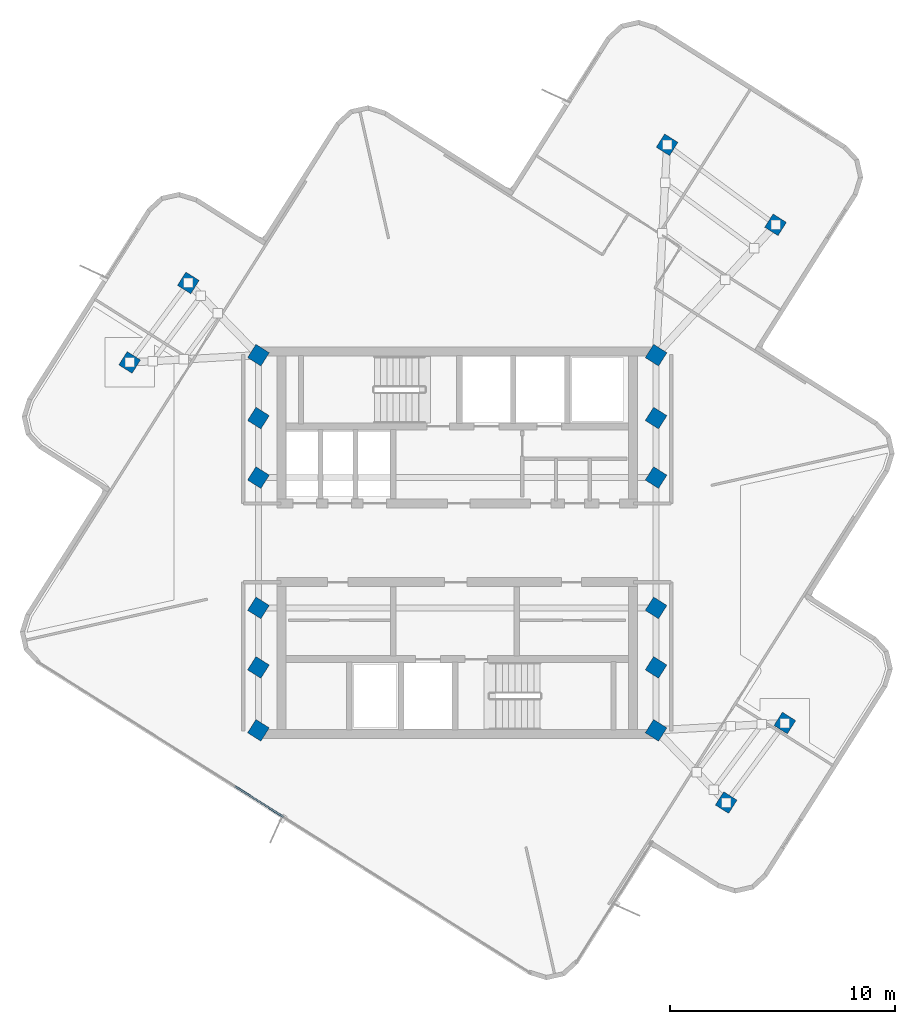
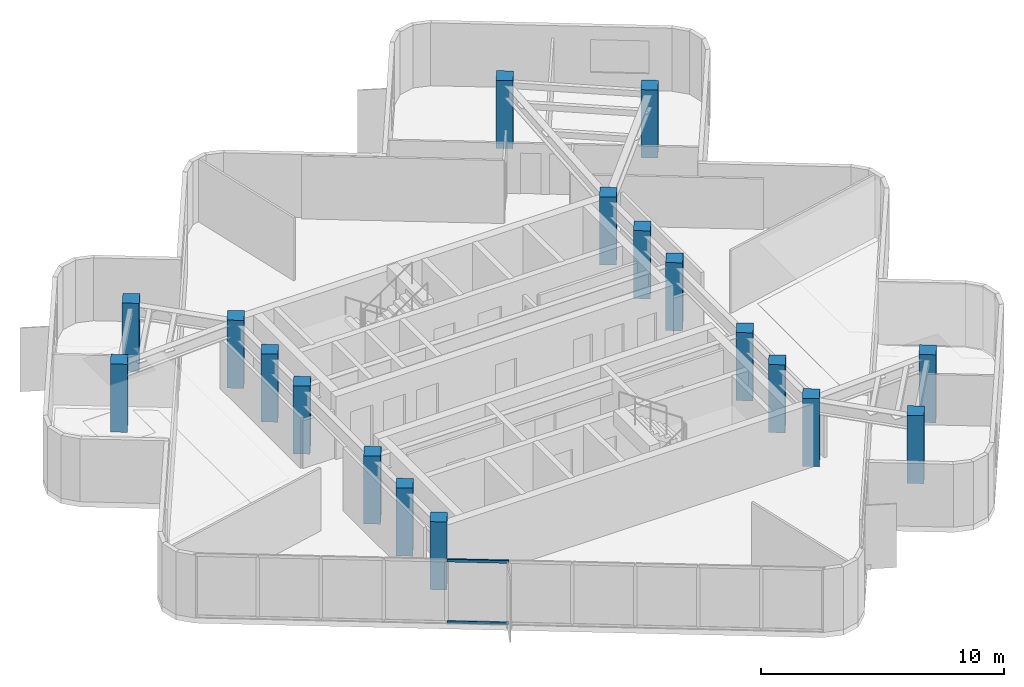
# One storey, part 1 of 8: 18 columns, 2 members, 1 element without a shape of its own.
"""IFC4 building model written with IfcOpenShell, lengths in metres."""

from ifc_helpers import new_model, si_unit, direction, frame, origin, origin_2d, place, context, subcontext, project, spatial, rectangle, extrude, material, layer, layer_set, material_profile, profile_set, type_object, element, aggregate, save


model = new_model("IFC4")

# Units and contexts
model_context = context("Model", 3, precision=1e-05, world=origin(), true_north=direction((0.0, 1.0)))
body_context = subcontext(model_context, "Body", "Model", "MODEL_VIEW")
ifc_project = project(units=[si_unit("LENGTHUNIT", "METRE"), si_unit("AREAUNIT", "SQUARE_METRE"), si_unit("VOLUMEUNIT", "CUBIC_METRE"), si_unit("PLANEANGLEUNIT", "RADIAN"), si_unit("MASSUNIT", "GRAM", prefix="KILO")], contexts=[model_context])

# Site, building, storey
site_placement = place(None, origin())
site = spatial("IfcSite", under=ifc_project, at=site_placement, CompositionType="ELEMENT")
building_placement = place(site_placement, origin())
building = spatial("IfcBuilding", under=site, at=building_placement, Name="Solmarez Civic Tower", CompositionType="ELEMENT")
storey_placement = place(building_placement, frame((0.0, 0.0, 271.43994140625)))
storey = spatial("IfcBuildingStorey", under=building, at=storey_placement, Name="L73", CompositionType="ELEMENT", Elevation=271.43994140625)

# Columns
ifc_material_1 = material(Name="Concrete C50/60", Category="concrete")
ifc_material_profile_1 = material_profile(ifc_material_1, rectangle(XDim=0.699951171875, YDim=0.699951171875, at=origin_2d()), Name="RC700X700")
ifc_profile_set_1 = profile_set([ifc_material_profile_1], Name="Concrete C50/60")
column_type = type_object("IfcColumnType", Name="COL-RC700", PredefinedType="COLUMN", material=ifc_profile_set_1)
for number, where, z_axis, x_axis, name in (
    (1, (-8.85009765625, -5.550048828125, 0.0), (0.0, 0.0, 1.0), (0.534057264801, 0.845448305879, 0.0), "L73 Structural Column HC1"),
    (2, (-8.85009765625, -2.89990234375, 0.0), (0.0, 0.0, 1.0), (0.534057264801, 0.845448305879, 0.0), "L73 Structural Column HC2"),
    (3, (-8.85009765625, 2.89990234375, 0.0), (0.0, 0.0, 1.0), (0.534057264801, 0.845448305879, 0.0), "L73 Structural Column HC3"),
    (4, (-8.85009765625, 5.550048828125, 0.0), (0.0, 0.0, 1.0), (0.534057264801, 0.845448305879, 0.0), "L73 Structural Column HC4"),
    (5, (8.85009765625, -5.550048828125, 0.0), (0.0, 0.0, 1.0), (0.534057264801, 0.845448305879, 0.0), "L73 Structural Column HC5"),
    (6, (8.85009765625, -2.89990234375, 0.0), (0.0, 0.0, 1.0), (0.534057264801, 0.845448305879, 0.0), "L73 Structural Column HC6"),
    (7, (8.85009765625, 2.89990234375, 0.0), (0.0, 0.0, 1.0), (0.534057264801, 0.845448305879, 0.0), "L73 Structural Column HC7"),
    (8, (8.85009765625, 5.550048828125, 0.0), (0.0, 0.0, 1.0), (0.534057264801, 0.845448305879, 0.0), "L73 Structural Column HC8"),
    (9, (-8.85009765625, 8.35009765625, 0.0), (0.0, 0.0, 1.0), (0.534057264801, 0.845448305879, 0.0), "L73 Structural Column HC9"),
    (10, (8.85009765625, -8.35009765625, 0.0), (0.0, 0.0, 1.0), (0.534057264801, 0.845448305879, 0.0), "L73 Structural Column HC10"),
    (11, (8.85009765625, 8.35009765625, 0.0), (0.0, 0.0, 1.0), (0.534057264801, 0.845448305879, 0.0), "L73 Structural Column HC11"),
    (12, (-8.85009765625, -8.35009765625, 0.0), (0.0, 0.0, 1.0), (0.534057264801, 0.845448305879, 0.0), "L73 Structural Column HC12"),
    (13, (14.1689453125, 14.152099609375, 0.0), (0.0, 0.0, 1.0), (0.534057264801, 0.845448305879, 0.0), "L73 Structural Column EA11"),
    (14, (9.341064453125, 17.714111328125, 0.0), (0.0, 0.0, 1.0), (0.534057264801, 0.845448305879, 0.0), "L73 Structural Column EA12"),
    (15, (-11.970947265625, 11.56591796875, 0.0), (0.0, 0.0, 1.0), (0.534057264801, 0.845448305879, 0.0), "L73 Structural Column NA11"),
    (16, (-14.5830078125, 8.02587890625, 0.0), (0.0, 0.0, 1.0), (0.534057264801, 0.845448305879, 0.0), "L73 Structural Column NA12"),
    (17, (11.970947265625, -11.56591796875, 0.0), (0.0, 0.0, 1.0), (0.534057264801, 0.845448305879, 0.0), "L73 Structural Column SA11"),
    (18, (14.5830078125, -8.02587890625, 0.0), (0.0, 0.0, 1.0), (0.534057264801, 0.845448305879, 0.0), "L73 Structural Column SA12"),
):
    element("IfcColumn", number, at=place(storey_placement, frame(where, z_axis=z_axis, x_axis=x_axis)), inside=storey, type_object=column_type, Name=name, PredefinedType="COLUMN", context=body_context, shape_type="SweptSolid", body=[
        extrude(rectangle(XDim=0.699951171875, YDim=0.699951171875, at=origin_2d()), origin(), (0.0, 0.0, 1.0), 3.420166015625),
    ])

# Curtain wall, members
ifc_material_2 = material(Name="Bronze Anodised Aluminium EN AW-6063 T6", Category="aluminium")
ifc_layer = layer(ifc_material_2, 0.1650390625)
ifc_layer_set = layer_set([ifc_layer], Name="Bronze Anodised Aluminium EN AW-6063 T6")
curtain_wall_type = type_object("IfcCurtainWallType", Name="CW-SYS-4", PredefinedType="NOTDEFINED", material=ifc_layer_set)
curtain_wall_placement = place(storey_placement, origin())
curtain_wall = element("IfcCurtainWall", 19, at=curtain_wall_placement, inside=storey, type_object=curtain_wall_type, Name="L73 Stick-Built Curtain Wall 2", PredefinedType="NOTDEFINED")
ifc_material_profile_2 = material_profile(ifc_material_2, rectangle(XDim=0.070068359375, YDim=0.139892578125, at=origin_2d()), Name="CWT-70X140")
ifc_profile_set_2 = profile_set([ifc_material_profile_2], Name="Bronze Anodised Aluminium EN AW-6063 T6")
member_type = type_object("IfcMemberType", Name="CWT-TYPE-1", PredefinedType="USERDEFINED", material=ifc_profile_set_2)
member_1_placement = place(storey_placement, frame((-7.742919921875, -12.200927734375, 0.03515625), z_axis=(-0.845459118214, 0.534040147769, 0.0), x_axis=(-0.534040147769, -0.845459118214, 0.0)))
member_1 = element("IfcMember", 20, at=member_1_placement, type_object=member_type, Name="CWS4 transom 6.1", ObjectType="TRANSOM", PredefinedType="USERDEFINED", context=body_context, shape_type="SweptSolid", body=[
    extrude(rectangle(XDim=0.070068359375, YDim=0.139892578125, at=origin_2d()), origin(), (0.0, 0.0, 1.0), 2.5322265625),
])
member_2_placement = place(storey_placement, frame((-7.742919921875, -12.200927734375, 3.125), z_axis=(-0.845459118214, 0.534040147769, 0.0), x_axis=(-0.534040147769, -0.845459118214, 0.0)))
member_2 = element("IfcMember", 21, at=member_2_placement, type_object=member_type, Name="CWS4 transom 6.2", ObjectType="TRANSOM", PredefinedType="USERDEFINED", context=body_context, shape_type="SweptSolid", body=[
    extrude(rectangle(XDim=0.070068359375, YDim=0.139892578125, at=origin_2d()), origin(), (0.0, 0.0, 1.0), 2.5322265625),
])
aggregate(curtain_wall, [member_1, member_2])

save(model, "model.ifc")
